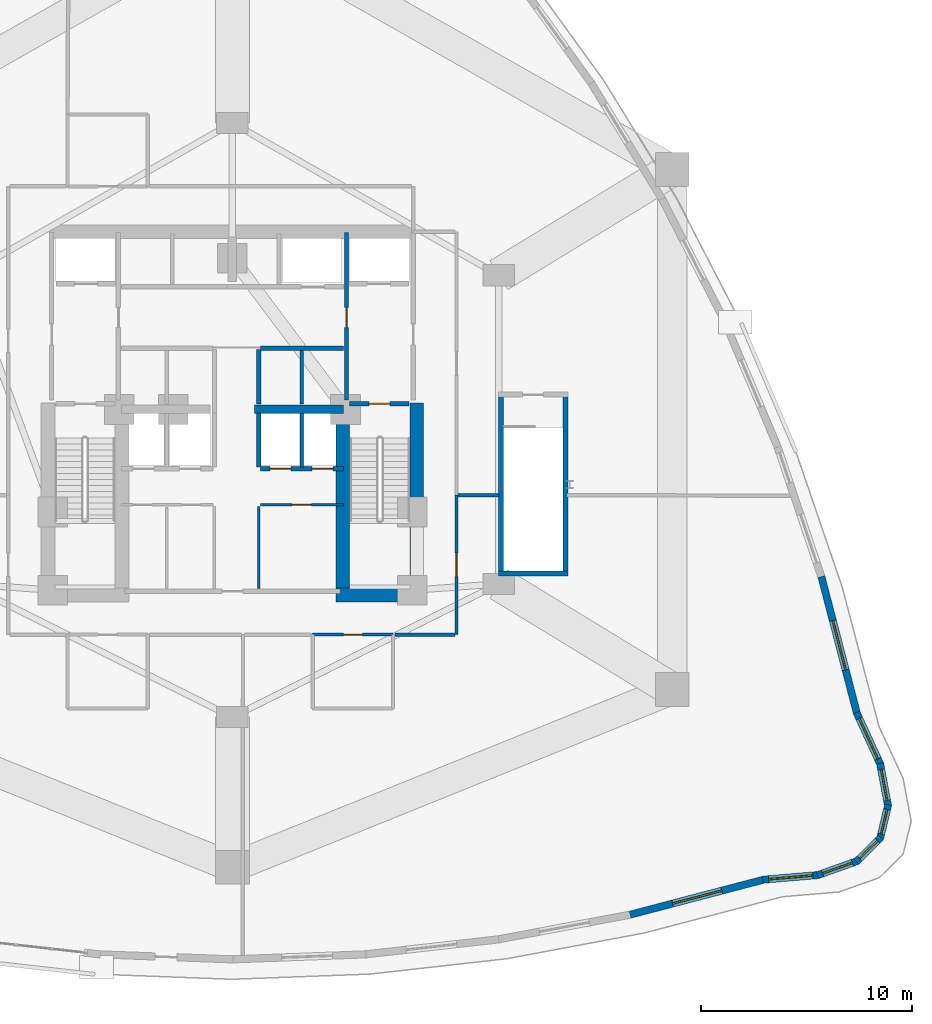
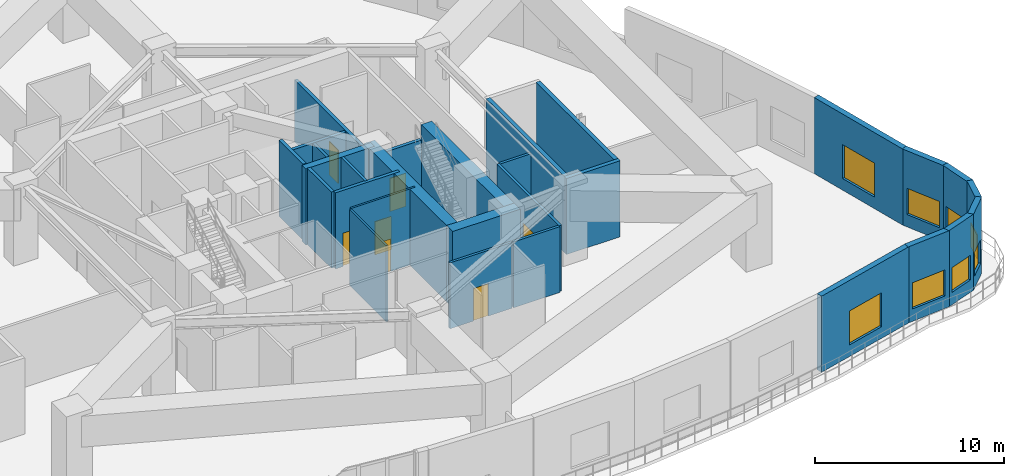
# One storey, part 13 of 19: 29 walls, 8 windows, 7 doors, 15 openings.
"""IFC4 building model written with IfcOpenShell, lengths in metres."""

from ifc_helpers import new_model, si_unit, direction, frame, frame_2d, origin, place, context, subcontext, project, spatial, rectangle, extrude, material, layer, layer_set, type_object, element, fill, save


model = new_model("IFC4")

# Units and contexts
model_context = context("Model", 3, precision=1e-05, world=origin(), true_north=direction((0.0, 1.0)))
body_context = subcontext(model_context, "Body", "Model", "MODEL_VIEW")
ifc_project = project(units=[si_unit("LENGTHUNIT", "METRE"), si_unit("AREAUNIT", "SQUARE_METRE"), si_unit("VOLUMEUNIT", "CUBIC_METRE"), si_unit("PLANEANGLEUNIT", "RADIAN"), si_unit("MASSUNIT", "GRAM", prefix="KILO")], contexts=[model_context])

# Site, building, storey
site_placement = place(None, origin())
site = spatial("IfcSite", under=ifc_project, at=site_placement, CompositionType="ELEMENT")
building_placement = place(site_placement, origin())
building = spatial("IfcBuilding", under=site, at=building_placement, Name="Miruveldt Soraemaru", CompositionType="ELEMENT")
storey_placement = place(building_placement, frame((0.0, 0.0, 24.0)))
storey = spatial("IfcBuildingStorey", under=building, at=storey_placement, Name="L06", CompositionType="ELEMENT", Elevation=24.0)

# Walls
ifc_material_1 = material(Name="Concrete C70/85 (70 MPa)", Category="concrete")
ifc_layer_1 = layer(ifc_material_1, 0.5, Name="Concrete C70/85 (70 MPa)", Category="concrete")
ifc_layer_set_1 = layer_set([ifc_layer_1], Name="Concrete C70/85 (70 MPa)")
wall_type_1 = type_object("IfcWallType", Name="WALL-BW-500", PredefinedType="SHEAR", material=ifc_layer_set_1)
wall_1_placement = place(storey_placement, frame((45.050048828125, 44.050048828125, 0.0), z_axis=(0.0, 0.0, 1.0), x_axis=(1.0, 0.0, 0.0)))
element("IfcWall", 1, at=wall_1_placement, inside=storey, type_object=wall_type_1, Name="L06 Core Buttress Shear Wall BE", PredefinedType="SHEAR", context=body_context, shape_type="SweptSolid", body=[
    extrude(rectangle(XDim=4.199951171875, YDim=0.39990234375, at=frame_2d((2.10009765625, 0.0))), origin(), (0.0, 0.0, 1.0), 4.925048828125),
])
ifc_material_2 = material(Name="Concrete C50/60 (50 MPa)", Category="concrete")
ifc_layer_2 = layer(ifc_material_2, 0.419921875, Name="Concrete C50/60 (50 MPa)", Category="concrete")
ifc_layer_set_2 = layer_set([ifc_layer_2], Name="Concrete C50/60 (50 MPa)")
wall_type_2 = type_object("IfcWallType", Name="WALL-CW-420", PredefinedType="SHEAR", material=ifc_layer_set_2)
for number, where, z_axis, x_axis, name in (
    (2, (56.699951171875, 36.35009765625, 0.0), (0.0, 0.0, 1.0), (0.0, 1.0, 0.0), "L06 Podium Garden Feature Stair ST-4 Structural Shaft Wall W"),
    (3, (59.75, 36.35009765625, 0.0), (0.0, 0.0, 1.0), (0.0, 1.0, 0.0), "L06 Podium Garden Feature Stair ST-4 Structural Shaft Wall E"),
):
    element("IfcWall", number, at=place(storey_placement, frame(where, z_axis=z_axis, x_axis=x_axis)), inside=storey, type_object=wall_type_2, Name=name, PredefinedType="SHEAR", context=body_context, shape_type="SweptSolid", body=[
        extrude(rectangle(XDim=8.349853515625, YDim=0.239990234375, at=frame_2d((4.1748046875, 0.0))), origin(), (0.0, 0.0, 1.0), 4.925048828125),
    ])
wall_2_placement = place(storey_placement, frame((56.580078125, 36.300048828125, 0.0), z_axis=(0.0, 0.0, 1.0), x_axis=(1.0, 0.0, 0.0)))
element("IfcWall", 4, at=wall_2_placement, inside=storey, type_object=wall_type_2, Name="L06 Podium Garden Feature Stair ST-4 Structural Shaft Wall S", PredefinedType="SHEAR", context=body_context, shape_type="SweptSolid", body=[
    extrude(rectangle(XDim=3.2900390625, YDim=0.239990234375, at=frame_2d((1.64501953125, 0.0))), origin(), (0.0, 0.0, 1.0), 4.925048828125),
])
ifc_material_3 = material(Name="Concrete C80/95 (80 MPa)", Category="concrete")
ifc_layer_3 = layer(ifc_material_3, 0.64990234375, Name="Concrete C80/95 (80 MPa)", Category="concrete")
ifc_layer_set_3 = layer_set([ifc_layer_3], Name="Concrete C80/95 (80 MPa)")
wall_type_3 = type_object("IfcWallType", Name="WALL-CW-650", PredefinedType="SHEAR", material=ifc_layer_set_3)
wall_3_placement = place(storey_placement, frame((48.89990234375, 35.27490234375, 0.0), z_axis=(0.0, 0.0, 1.0), x_axis=(1.0, 0.0, 0.0)))
element("IfcWall", 5, at=wall_3_placement, inside=storey, type_object=wall_type_3, Name="L06 Central Core Shear Wall S2", PredefinedType="SHEAR", context=body_context, shape_type="SweptSolid", body=[
    extrude(rectangle(XDim=4.150146484375, YDim=0.64990234375, at=frame_2d((2.0751953125, 0.0))), origin(), (0.0, 0.0, 1.0), 4.925048828125),
])
wall_4_placement = place(storey_placement, frame((52.72509765625, 34.949951171875, 0.0), z_axis=(0.0, 0.0, 1.0), x_axis=(0.0, 1.0, 0.0)))
element("IfcWall", 6, at=wall_4_placement, inside=storey, type_object=wall_type_3, Name="L06 Central Core Shear Wall E1", PredefinedType="SHEAR", context=body_context, shape_type="SweptSolid", body=[
    extrude(rectangle(XDim=9.400146484375, YDim=0.64990234375, at=frame_2d((4.7001953125, 0.0))), origin(), (0.0, 0.0, 1.0), 4.925048828125),
])
wall_5_placement = place(storey_placement, frame((49.22509765625, 35.39990234375, 0.0), z_axis=(0.0, 0.0, 1.0), x_axis=(0.0, 1.0, 0.0)))
element("IfcWall", 7, at=wall_5_placement, inside=storey, type_object=wall_type_3, Name="L06 Central Core Shear Wall SE-INT", PredefinedType="SHEAR", context=body_context, shape_type="SweptSolid", body=[
    extrude(rectangle(XDim=8.9501953125, YDim=0.64990234375, at=frame_2d((4.47509765625, 0.0))), origin(), (0.0, 0.0, 1.0), 4.925048828125),
])

# Wall, opening, window
ifc_material_4 = material(Name="Precast concrete C45/55 (45 MPa)", Category="concrete")
ifc_layer_4 = layer(ifc_material_4, 0.340087890625, Name="Precast concrete C45/55 (45 MPa)", Category="concrete")
ifc_layer_set_4 = layer_set([ifc_layer_4], Name="Precast concrete C45/55 (45 MPa)")
wall_type_4 = type_object("IfcWallType", Name="WALL-EXT-PC340", PredefinedType="SOLIDWALL", material=ifc_layer_set_4)
wall_6_placement = place(storey_placement, frame((62.807373046875, 20.154541015625, 0.0), z_axis=(0.0, 0.0, 1.0), x_axis=(0.967235761156, 0.253879858084, 0.0)))
wall_6 = element("IfcWall", 8, at=wall_6_placement, inside=storey, type_object=wall_type_4, Name="L06 Precast Concrete Facade Wall 28", PredefinedType="SOLIDWALL", context=body_context, shape_type="SweptSolid", body=[
    extrude(rectangle(XDim=6.563232421875, YDim=0.340087890625, at=frame_2d((3.28173828125, 0.0))), origin(), (0.0, 0.0, 1.0), 4.925048828125),
])
opening_1_placement = place(wall_6_placement, frame((2.08203125, 0.0, 0.75)))
opening_1 = element("IfcOpeningElement", 9, at=opening_1_placement, cuts=wall_6, Name="Opening WN-5", PredefinedType="OPENING", context=body_context, shape_type="SweptSolid", body=[
    extrude(rectangle(XDim=2.39990234375, YDim=2.199951171875, at=frame_2d((1.199951171875, 1.10009765625))), frame((0.0, 0.18017578125, 0.0), z_axis=(0.0, -1.0, 0.0), x_axis=(1.0, 0.0, 0.0)), (0.0, 0.0, 1.0), 0.360107421875),
])
ifc_material_5 = material(Name="Triple low-e insulated glazing", Category="glass")
window_type_1 = type_object("IfcWindowType", Name="WIN-PODM-2400x2200", PartitioningType="SINGLE_PANEL", PredefinedType="WINDOW", material=ifc_material_5)
window_1_placement = place(opening_1_placement, origin())
window_1 = element("IfcWindow", 10, at=window_1_placement, inside=storey, type_object=window_type_1, Name="L06 Punched Triple-Glazed Window 28.1", OverallHeight=2.199951171875, OverallWidth=2.39990234375, PartitioningType="SINGLE_PANEL", PredefinedType="WINDOW", context=body_context, shape_type="SweptSolid", body=[
    extrude(rectangle(XDim=2.39990234375, YDim=2.199951171875, at=frame_2d((1.199951171875, 1.10009765625))), frame((0.0, 0.030029296875, 0.0), z_axis=(0.0, -1.0, 0.0), x_axis=(1.0, 0.0, 0.0)), (0.0, 0.0, 1.0), 0.06005859375),
])
fill(opening_1, window_1)

wall_7_placement = place(storey_placement, frame((69.0869140625, 21.80908203125, 0.0), z_axis=(0.0, 0.0, 1.0), x_axis=(0.996411227217, 0.084644351712, 0.0)))
wall_7 = element("IfcWall", 11, at=wall_7_placement, inside=storey, type_object=wall_type_4, Name="L06 Precast Concrete Facade Wall 29", PredefinedType="SOLIDWALL", context=body_context, shape_type="SweptSolid", body=[
    extrude(rectangle(XDim=2.653564453125, YDim=0.340087890625, at=frame_2d((1.32666015625, 0.0))), origin(), (0.0, 0.0, 1.0), 4.925048828125),
])
opening_2_placement = place(wall_7_placement, frame((0.277099609375, 0.0, 0.800048828125)))
opening_2 = element("IfcOpeningElement", 12, at=opening_2_placement, cuts=wall_7, Name="Opening WN-1", PredefinedType="OPENING", context=body_context, shape_type="SweptSolid", body=[
    extrude(rectangle(XDim=2.10009765625, YDim=1.699951171875, at=frame_2d((1.050048828125, 0.85009765625))), frame((0.0, 0.18017578125, 0.0), z_axis=(0.0, -1.0, 0.0), x_axis=(1.0, 0.0, 0.0)), (0.0, 0.0, 1.0), 0.360107421875),
])
window_type_2 = type_object("IfcWindowType", Name="WIN-PUNCH-2100x1700", PartitioningType="SINGLE_PANEL", PredefinedType="WINDOW", material=ifc_material_5)
window_2_placement = place(opening_2_placement, origin())
window_2 = element("IfcWindow", 13, at=window_2_placement, inside=storey, type_object=window_type_2, Name="L06 Punched Triple-Glazed Window 29.1", OverallHeight=1.699951171875, OverallWidth=2.10009765625, PartitioningType="SINGLE_PANEL", PredefinedType="WINDOW", context=body_context, shape_type="SweptSolid", body=[
    extrude(rectangle(XDim=2.10009765625, YDim=1.699951171875, at=frame_2d((1.050048828125, 0.85009765625))), frame((0.0, 0.030029296875, 0.0), z_axis=(0.0, -1.0, 0.0), x_axis=(1.0, 0.0, 0.0)), (0.0, 0.0, 1.0), 0.06005859375),
])
fill(opening_2, window_2)

wall_8_placement = place(storey_placement, frame((71.6630859375, 22.018798828125, 0.0), z_axis=(0.0, 0.0, 1.0), x_axis=(0.941834735002, 0.33607637814, 0.0)))
wall_8 = element("IfcWall", 14, at=wall_8_placement, inside=storey, type_object=wall_type_4, Name="L06 Precast Concrete Facade Wall 30", PredefinedType="SOLIDWALL", context=body_context, shape_type="SweptSolid", body=[
    extrude(rectangle(XDim=2.0224609375, YDim=0.340087890625, at=frame_2d((1.01123046875, 0.0))), origin(), (0.0, 0.0, 1.0), 4.925048828125),
])
opening_3_placement = place(wall_8_placement, frame((0.260986328125, 0.0, 0.800048828125)))
opening_3 = element("IfcOpeningElement", 15, at=opening_3_placement, cuts=wall_8, Name="Opening WN-3", PredefinedType="OPENING", context=body_context, shape_type="SweptSolid", body=[
    extrude(rectangle(XDim=1.5, YDim=1.60009765625, at=frame_2d((0.75, 0.800048828125))), frame((0.0, 0.18017578125, 0.0), z_axis=(0.0, -1.0, 0.0), x_axis=(1.0, 0.0, 0.0)), (0.0, 0.0, 1.0), 0.360107421875),
])
window_type_3 = type_object("IfcWindowType", Name="WIN-PUNCH-1500x1600", PartitioningType="SINGLE_PANEL", PredefinedType="WINDOW", material=ifc_material_5)
window_3_placement = place(opening_3_placement, origin())
window_3 = element("IfcWindow", 16, at=window_3_placement, inside=storey, type_object=window_type_3, Name="L06 Punched Triple-Glazed Window 30.1", OverallHeight=1.60009765625, OverallWidth=1.5, PartitioningType="SINGLE_PANEL", PredefinedType="WINDOW", context=body_context, shape_type="SweptSolid", body=[
    extrude(rectangle(XDim=1.5, YDim=1.60009765625, at=frame_2d((0.75, 0.800048828125))), frame((0.0, 0.030029296875, 0.0), z_axis=(0.0, -1.0, 0.0), x_axis=(1.0, 0.0, 0.0)), (0.0, 0.0, 1.0), 0.06005859375),
])
fill(opening_3, window_3)

wall_9_placement = place(storey_placement, frame((73.510009765625, 22.662109375, 0.0), z_axis=(0.0, 0.0, 1.0), x_axis=(0.710257766954, 0.703941691109, 0.0)))
wall_9 = element("IfcWall", 17, at=wall_9_placement, inside=storey, type_object=wall_type_4, Name="L06 Precast Concrete Facade Wall 31", PredefinedType="SOLIDWALL", context=body_context, shape_type="SweptSolid", body=[
    extrude(rectangle(XDim=1.62353515625, YDim=0.340087890625, at=frame_2d((0.811767578125, 0.0))), origin(), (0.0, 0.0, 1.0), 4.925048828125),
])
opening_4_placement = place(wall_9_placement, frame((0.2119140625, 0.0, 0.780029296875)))
opening_4 = element("IfcOpeningElement", 18, at=opening_4_placement, cuts=wall_9, Name="Opening WN-4", PredefinedType="OPENING", context=body_context, shape_type="SweptSolid", body=[
    extrude(rectangle(XDim=1.199951171875, YDim=1.550048828125, at=frame_2d((0.60009765625, 0.77490234375))), frame((0.0, 0.18017578125, 0.0), z_axis=(0.0, -1.0, 0.0), x_axis=(1.0, 0.0, 0.0)), (0.0, 0.0, 1.0), 0.360107421875),
])
window_type_4 = type_object("IfcWindowType", Name="WIN-PUNCH-1200x1550", PartitioningType="SINGLE_PANEL", PredefinedType="WINDOW", material=ifc_material_5)
window_4_placement = place(opening_4_placement, origin())
window_4 = element("IfcWindow", 19, at=window_4_placement, inside=storey, type_object=window_type_4, Name="L06 Punched Triple-Glazed Window 31.1", OverallHeight=1.550048828125, OverallWidth=1.199951171875, PartitioningType="SINGLE_PANEL", PredefinedType="WINDOW", context=body_context, shape_type="SweptSolid", body=[
    extrude(rectangle(XDim=1.199951171875, YDim=1.550048828125, at=frame_2d((0.60009765625, 0.77490234375))), frame((0.0, 0.030029296875, 0.0), z_axis=(0.0, -1.0, 0.0), x_axis=(1.0, 0.0, 0.0)), (0.0, 0.0, 1.0), 0.06005859375),
])
fill(opening_4, window_4)

wall_10_placement = place(storey_placement, frame((74.6298828125, 23.746337890625, 0.0), z_axis=(0.0, 0.0, 1.0), x_axis=(0.23368739428, 0.972311782174, 0.0)))
wall_10 = element("IfcWall", 20, at=wall_10_placement, inside=storey, type_object=wall_type_4, Name="L06 Precast Concrete Facade Wall 32", PredefinedType="SOLIDWALL", context=body_context, shape_type="SweptSolid", body=[
    extrude(rectangle(XDim=1.644287109375, YDim=0.340087890625, at=frame_2d((0.822265625, 0.0))), origin(), (0.0, 0.0, 1.0), 4.925048828125),
])
opening_5_placement = place(wall_10_placement, frame((0.222900390625, 0.0, 0.780029296875)))
opening_5 = element("IfcOpeningElement", 21, at=opening_5_placement, cuts=wall_10, Name="Opening WN-4", PredefinedType="OPENING", context=body_context, shape_type="SweptSolid", body=[
    extrude(rectangle(XDim=1.199951171875, YDim=1.550048828125, at=frame_2d((0.60009765625, 0.77490234375))), frame((0.0, 0.18017578125, 0.0), z_axis=(0.0, -1.0, 0.0), x_axis=(1.0, 0.0, 0.0)), (0.0, 0.0, 1.0), 0.360107421875),
])
window_5_placement = place(opening_5_placement, origin())
window_5 = element("IfcWindow", 22, at=window_5_placement, inside=storey, type_object=window_type_4, Name="L06 Punched Triple-Glazed Window 32.1", OverallHeight=1.550048828125, OverallWidth=1.199951171875, PartitioningType="SINGLE_PANEL", PredefinedType="WINDOW", context=body_context, shape_type="SweptSolid", body=[
    extrude(rectangle(XDim=1.199951171875, YDim=1.550048828125, at=frame_2d((0.60009765625, 0.77490234375))), frame((0.0, 0.030029296875, 0.0), z_axis=(0.0, -1.0, 0.0), x_axis=(1.0, 0.0, 0.0)), (0.0, 0.0, 1.0), 0.06005859375),
])
fill(opening_5, window_5)

wall_11_placement = place(storey_placement, frame((75.012451171875, 25.27685546875, 0.0), z_axis=(0.0, 0.0, 1.0), x_axis=(-0.183662559707, 0.982989350991, 0.0)))
wall_11 = element("IfcWall", 23, at=wall_11_placement, inside=storey, type_object=wall_type_4, Name="L06 Precast Concrete Facade Wall 33", PredefinedType="SOLIDWALL", context=body_context, shape_type="SweptSolid", body=[
    extrude(rectangle(XDim=2.072265625, YDim=0.340087890625, at=frame_2d((1.0361328125, 0.0))), origin(), (0.0, 0.0, 1.0), 4.925048828125),
])
opening_6_placement = place(wall_11_placement, frame((0.285888671875, 0.0, 0.800048828125)))
opening_6 = element("IfcOpeningElement", 24, at=opening_6_placement, cuts=wall_11, Name="Opening WN-3", PredefinedType="OPENING", context=body_context, shape_type="SweptSolid", body=[
    extrude(rectangle(XDim=1.5, YDim=1.60009765625, at=frame_2d((0.75, 0.800048828125))), frame((0.0, 0.18017578125, 0.0), z_axis=(0.0, -1.0, 0.0), x_axis=(1.0, 0.0, 0.0)), (0.0, 0.0, 1.0), 0.360107421875),
])
window_6_placement = place(opening_6_placement, origin())
window_6 = element("IfcWindow", 25, at=window_6_placement, inside=storey, type_object=window_type_3, Name="L06 Punched Triple-Glazed Window 33.1", OverallHeight=1.60009765625, OverallWidth=1.5, PartitioningType="SINGLE_PANEL", PredefinedType="WINDOW", context=body_context, shape_type="SweptSolid", body=[
    extrude(rectangle(XDim=1.5, YDim=1.60009765625, at=frame_2d((0.75, 0.800048828125))), frame((0.0, 0.030029296875, 0.0), z_axis=(0.0, -1.0, 0.0), x_axis=(1.0, 0.0, 0.0)), (0.0, 0.0, 1.0), 0.06005859375),
])
fill(opening_6, window_6)

wall_12_placement = place(storey_placement, frame((74.65283203125, 27.247802734375, 0.0), z_axis=(0.0, 0.0, 1.0), x_axis=(-0.416908445772, 0.908948484703, 0.0)))
wall_12 = element("IfcWall", 26, at=wall_12_placement, inside=storey, type_object=wall_type_4, Name="L06 Precast Concrete Facade Wall 34", PredefinedType="SOLIDWALL", context=body_context, shape_type="SweptSolid", body=[
    extrude(rectangle(XDim=2.716552734375, YDim=0.340087890625, at=frame_2d((1.3583984375, 0.0))), origin(), (0.0, 0.0, 1.0), 4.925048828125),
])
opening_7_placement = place(wall_12_placement, frame((0.30810546875, 0.0, 0.800048828125)))
opening_7 = element("IfcOpeningElement", 27, at=opening_7_placement, cuts=wall_12, Name="Opening WN-1", PredefinedType="OPENING", context=body_context, shape_type="SweptSolid", body=[
    extrude(rectangle(XDim=2.10009765625, YDim=1.699951171875, at=frame_2d((1.050048828125, 0.85009765625))), frame((0.0, 0.18017578125, 0.0), z_axis=(0.0, -1.0, 0.0), x_axis=(1.0, 0.0, 0.0)), (0.0, 0.0, 1.0), 0.360107421875),
])
window_7_placement = place(opening_7_placement, origin())
window_7 = element("IfcWindow", 28, at=window_7_placement, inside=storey, type_object=window_type_2, Name="L06 Punched Triple-Glazed Window 34.1", OverallHeight=1.699951171875, OverallWidth=2.10009765625, PartitioningType="SINGLE_PANEL", PredefinedType="WINDOW", context=body_context, shape_type="SweptSolid", body=[
    extrude(rectangle(XDim=2.10009765625, YDim=1.699951171875, at=frame_2d((1.050048828125, 0.85009765625))), frame((0.0, 0.030029296875, 0.0), z_axis=(0.0, -1.0, 0.0), x_axis=(1.0, 0.0, 0.0)), (0.0, 0.0, 1.0), 0.06005859375),
])
fill(opening_7, window_7)

wall_13_placement = place(storey_placement, frame((73.543701171875, 29.6513671875, 0.0), z_axis=(0.0, 0.0, 1.0), x_axis=(-0.25145458231, 0.967869099122, 0.0)))
wall_13 = element("IfcWall", 29, at=wall_13_placement, inside=storey, type_object=wall_type_4, Name="L06 Precast Concrete Facade Wall 35", PredefinedType="SOLIDWALL", context=body_context, shape_type="SweptSolid", body=[
    extrude(rectangle(XDim=6.7099609375, YDim=0.340087890625, at=frame_2d((3.35498046875, 0.0))), origin(), (0.0, 0.0, 1.0), 4.925048828125),
])
opening_8_placement = place(wall_13_placement, frame((2.155029296875, 0.0, 0.75)))
opening_8 = element("IfcOpeningElement", 30, at=opening_8_placement, cuts=wall_13, Name="Opening WN-5", PredefinedType="OPENING", context=body_context, shape_type="SweptSolid", body=[
    extrude(rectangle(XDim=2.39990234375, YDim=2.199951171875, at=frame_2d((1.199951171875, 1.10009765625))), frame((0.0, 0.18017578125, 0.0), z_axis=(0.0, -1.0, 0.0), x_axis=(1.0, 0.0, 0.0)), (0.0, 0.0, 1.0), 0.360107421875),
])
window_8_placement = place(opening_8_placement, origin())
window_8 = element("IfcWindow", 31, at=window_8_placement, inside=storey, type_object=window_type_1, Name="L06 Punched Triple-Glazed Window 35.1", OverallHeight=2.199951171875, OverallWidth=2.39990234375, PartitioningType="SINGLE_PANEL", PredefinedType="WINDOW", context=body_context, shape_type="SweptSolid", body=[
    extrude(rectangle(XDim=2.39990234375, YDim=2.199951171875, at=frame_2d((1.199951171875, 1.10009765625))), frame((0.0, 0.030029296875, 0.0), z_axis=(0.0, -1.0, 0.0), x_axis=(1.0, 0.0, 0.0)), (0.0, 0.0, 1.0), 0.06005859375),
])
fill(opening_8, window_8)

# Wall, opening, door
ifc_material_6 = material(Name="Gypsum plasterboard lining", Category="gypsum")
ifc_layer_5 = layer(ifc_material_6, 0.1201171875, Name="Gypsum plasterboard lining", Category="gypsum")
ifc_layer_set_5 = layer_set([ifc_layer_5], Name="Gypsum plasterboard lining")
wall_type_5 = type_object("IfcWallType", Name="WALL-INT-P120", PredefinedType="PARTITIONING", material=ifc_layer_set_5)
wall_14_placement = place(storey_placement, frame((45.320068359375, 39.550048828125, 0.0), z_axis=(0.0, 0.0, 1.0), x_axis=(1.0, 0.0, 0.0)))
wall_14 = element("IfcWall", 32, at=wall_14_placement, inside=storey, type_object=wall_type_5, Name="L06 Core Compartment Wall CSE-N", PredefinedType="PARTITIONING", context=body_context, shape_type="SweptSolid", body=[
    extrude(rectangle(XDim=3.929931640625, YDim=0.1201171875, at=frame_2d((1.96484375, 0.0))), origin(), (0.0, 0.0, 1.0), 4.925048828125),
])
opening_9_placement = place(wall_14_placement, frame((1.489990234375, 0.0, 0.0)))
opening_9 = element("IfcOpeningElement", 33, at=opening_9_placement, cuts=wall_14, Name="Opening D3A", PredefinedType="OPENING", context=body_context, shape_type="SweptSolid", body=[
    extrude(rectangle(XDim=0.919921875, YDim=2.10009765625, at=frame_2d((0.4599609375, 1.050048828125))), frame((0.0, 0.070068359375, 0.0), z_axis=(0.0, -1.0, 0.0), x_axis=(1.0, 0.0, 0.0)), (0.0, 0.0, 1.0), 0.14013671875),
])
ifc_material_7 = material(Name="Anodised aluminium EN AW-6063 T6", Category="aluminium")
door_type_1 = type_object("IfcDoorType", Name="DOOR-INT-920", OperationType="NOTDEFINED", PredefinedType="DOOR", material=ifc_material_7)
door_1_placement = place(opening_9_placement, origin())
door_1 = element("IfcDoor", 34, at=door_1_placement, inside=storey, type_object=door_type_1, Name="L06 Fire Door", OperationType="SINGLE_SWING_LEFT", OverallHeight=2.10009765625, OverallWidth=0.919921875, PredefinedType="DOOR", context=body_context, shape_type="SweptSolid", body=[
    extrude(rectangle(XDim=0.919921875, YDim=2.10009765625, at=frame_2d((0.4599609375, 1.050048828125))), frame((0.0, 0.02490234375, 0.0), z_axis=(0.0, -1.0, 0.0), x_axis=(1.0, 0.0, 0.0)), (0.0, 0.0, 1.0), 0.050048828125),
])
fill(opening_9, door_1)

# Wall
wall_15_placement = place(storey_placement, frame((45.25, 35.580078125, 0.0), z_axis=(0.0, 0.0, 1.0), x_axis=(0.0, 1.0, 0.0)))
element("IfcWall", 35, at=wall_15_placement, inside=storey, type_object=wall_type_5, Name="L06 Core Compartment Wall SP-ES", PredefinedType="PARTITIONING", context=body_context, shape_type="SweptSolid", body=[
    extrude(rectangle(XDim=3.869873046875, YDim=0.1201171875, at=frame_2d((1.93505859375, 0.0))), origin(), (0.0, 0.0, 1.0), 4.925048828125),
])

# Wall, opening, door
ifc_layer_6 = layer(ifc_material_6, 0.14990234375, Name="Gypsum plasterboard lining", Category="gypsum")
ifc_layer_set_6 = layer_set([ifc_layer_6], Name="Gypsum plasterboard lining")
wall_type_6 = type_object("IfcWallType", Name="WALL-INT-PLUMB", PredefinedType="PLUMBINGWALL", material=ifc_layer_set_6)
wall_16_placement = place(storey_placement, frame((47.800048828125, 33.39990234375, 0.0), z_axis=(0.0, 0.0, 1.0), x_axis=(1.0, 0.0, 0.0)))
wall_16 = element("IfcWall", 36, at=wall_16_placement, inside=storey, type_object=wall_type_6, Name="L06 Partition Wall 3", PredefinedType="PLUMBINGWALL", context=body_context, shape_type="SweptSolid", body=[
    extrude(rectangle(XDim=3.800048828125, YDim=0.14990234375, at=frame_2d((1.89990234375, 0.0))), origin(), (0.0, 0.0, 1.0), 4.262939453125),
])
opening_10_placement = place(wall_16_placement, frame((1.449951171875, 0.0, 0.0)))
opening_10 = element("IfcOpeningElement", 37, at=opening_10_placement, cuts=wall_16, Name="Opening D3", PredefinedType="OPENING", context=body_context, shape_type="SweptSolid", body=[
    extrude(rectangle(XDim=0.89990234375, YDim=2.10009765625, at=frame_2d((0.449951171875, 1.050048828125))), frame((0.0, 0.0849609375, 0.0), z_axis=(0.0, -1.0, 0.0), x_axis=(1.0, 0.0, 0.0)), (0.0, 0.0, 1.0), 0.169921875),
])
door_type_2 = type_object("IfcDoorType", Name="DOOR-INT-900", OperationType="NOTDEFINED", PredefinedType="DOOR", material=ifc_material_7)
door_2_placement = place(opening_10_placement, origin())
door_2 = element("IfcDoor", 38, at=door_2_placement, inside=storey, type_object=door_type_2, Name="L06 Accessible WC Door", OperationType="SINGLE_SWING_RIGHT", OverallHeight=2.10009765625, OverallWidth=0.89990234375, PredefinedType="DOOR", context=body_context, shape_type="SweptSolid", body=[
    extrude(rectangle(XDim=0.89990234375, YDim=2.10009765625, at=frame_2d((0.449951171875, 1.050048828125))), frame((0.0, 0.02490234375, 0.0), z_axis=(0.0, -1.0, 0.0), x_axis=(1.0, 0.0, 0.0)), (0.0, 0.0, 1.0), 0.050048828125),
])
fill(opening_10, door_2)

ifc_material_8 = material(Name="Concrete C40/50 (40 MPa)", Category="concrete")
ifc_layer_7 = layer(ifc_material_8, 0.159912109375, Name="Concrete C40/50 (40 MPa)", Category="concrete")
ifc_layer_set_7 = layer_set([ifc_layer_7], Name="Concrete C40/50 (40 MPa)")
wall_type_7 = type_object("IfcWallType", Name="WALL-INT-RC160", PredefinedType="SOLIDWALL", material=ifc_layer_set_7)
wall_17_placement = place(storey_placement, frame((54.60009765625, 33.39990234375, 0.0), z_axis=(0.0, 0.0, 1.0), x_axis=(0.0, 1.0, 0.0)))
wall_17 = element("IfcWall", 39, at=wall_17_placement, inside=storey, type_object=wall_type_7, Name="L06 Partition Wall 9", PredefinedType="SOLIDWALL", context=body_context, shape_type="SweptSolid", body=[
    extrude(rectangle(XDim=6.60009765625, YDim=0.159912109375, at=frame_2d((3.300048828125, 0.0))), origin(), (0.0, 0.0, 1.0), 4.262939453125),
])
opening_11_placement = place(wall_17_placement, frame((2.75, 0.0, 0.0)))
opening_11 = element("IfcOpeningElement", 40, at=opening_11_placement, cuts=wall_17, Name="Opening FD1A", PredefinedType="OPENING", context=body_context, shape_type="SweptSolid", body=[
    extrude(rectangle(XDim=1.10009765625, YDim=2.14990234375, at=frame_2d((0.550048828125, 1.074951171875))), frame((0.0, 0.08984375, 0.0), z_axis=(0.0, -1.0, 0.0), x_axis=(1.0, 0.0, 0.0)), (0.0, 0.0, 1.0), 0.179931640625),
])
door_type_3 = type_object("IfcDoorType", Name="DOOR-FD1-1100", OperationType="NOTDEFINED", PredefinedType="DOOR", material=ifc_material_7)
door_3_placement = place(opening_11_placement, origin())
door_3 = element("IfcDoor", 41, at=door_3_placement, inside=storey, type_object=door_type_3, Name="L06 Private Banquet Dining Hall Entrance Door", OperationType="SINGLE_SWING_RIGHT", OverallHeight=2.14990234375, OverallWidth=1.10009765625, PredefinedType="DOOR", context=body_context, shape_type="SweptSolid", body=[
    extrude(rectangle(XDim=1.10009765625, YDim=2.14990234375, at=frame_2d((0.550048828125, 1.074951171875))), frame((0.0, 0.02490234375, 0.0), z_axis=(0.0, -1.0, 0.0), x_axis=(1.0, 0.0, 0.0)), (0.0, 0.0, 1.0), 0.050048828125),
])
fill(opening_11, door_3)

# Walls
wall_18_placement = place(storey_placement, frame((51.679931640625, 33.39990234375, 0.0), z_axis=(0.0, 0.0, 1.0), x_axis=(1.0, 0.0, 0.0)))
element("IfcWall", 42, at=wall_18_placement, inside=storey, type_object=wall_type_7, Name="L06 Partition Wall 8", PredefinedType="SOLIDWALL", context=body_context, shape_type="SweptSolid", body=[
    extrude(rectangle(XDim=2.840087890625, YDim=0.159912109375, at=frame_2d((1.419921875, 0.0))), origin(), (0.0, 0.0, 1.0), 4.262939453125),
])
wall_19_placement = place(storey_placement, frame((47.280029296875, 44.300048828125, 0.0), z_axis=(0.0, 0.0, 1.0), x_axis=(0.0, 1.0, 0.0)))
element("IfcWall", 43, at=wall_19_placement, inside=storey, type_object=wall_type_7, Name="L06 Core Compartment Wall PLM-DE", PredefinedType="SOLIDWALL", context=body_context, shape_type="SweptSolid", body=[
    extrude(rectangle(XDim=2.550048828125, YDim=0.159912109375, at=frame_2d((1.27490234375, 0.0))), origin(), (0.0, 0.0, 1.0), 4.012939453125),
])
wall_20_placement = place(storey_placement, frame((47.280029296875, 41.320068359375, 0.0), z_axis=(0.0, 0.0, 1.0), x_axis=(0.0, 1.0, 0.0)))
element("IfcWall", 44, at=wall_20_placement, inside=storey, type_object=wall_type_7, Name="L06 Core Compartment Wall PLL-DE", PredefinedType="SOLIDWALL", context=body_context, shape_type="SweptSolid", body=[
    extrude(rectangle(XDim=2.530029296875, YDim=0.159912109375, at=frame_2d((1.26513671875, 0.0))), origin(), (0.0, 0.0, 1.0), 4.925048828125),
])
wall_21_placement = place(storey_placement, frame((56.6201171875, 40.0, 0.0), z_axis=(0.0, 0.0, 1.0), x_axis=(-1.0, 0.0, 0.0)))
element("IfcWall", 45, at=wall_21_placement, inside=storey, type_object=wall_type_7, Name="L06 Partition Wall 29", PredefinedType="SOLIDWALL", context=body_context, shape_type="SweptSolid", body=[
    extrude(rectangle(XDim=1.940185546875, YDim=0.159912109375, at=frame_2d((0.97021484375, 0.0))), origin(), (0.0, 0.0, 1.0), 4.262939453125),
])

# Wall, opening, door
ifc_layer_8 = layer(ifc_material_8, 0.199951171875, Name="Concrete C40/50 (40 MPa)", Category="concrete")
ifc_layer_set_8 = layer_set([ifc_layer_8], Name="Concrete C40/50 (40 MPa)")
wall_type_8 = type_object("IfcWallType", Name="WALL-INT-RC200", PredefinedType="SOLIDWALL", material=ifc_layer_set_8)
wall_22_placement = place(storey_placement, frame((49.39990234375, 44.5, 0.0), z_axis=(0.0, 0.0, 1.0), x_axis=(0.0, 1.0, 0.0)))
wall_22 = element("IfcWall", 46, at=wall_22_placement, inside=storey, type_object=wall_type_8, Name="L06 Core Compartment Wall FFE-IN", PredefinedType="SOLIDWALL", context=body_context, shape_type="SweptSolid", body=[
    extrude(rectangle(XDim=7.919921875, YDim=0.199951171875, at=frame_2d((3.9599609375, 0.0))), origin(), (0.0, 0.0, 1.0), 4.012939453125),
])
opening_12_placement = place(wall_22_placement, frame((3.425048828125, 0.0, 0.0)))
opening_12 = element("IfcOpeningElement", 47, at=opening_12_placement, cuts=wall_22, Name="Opening FD2", PredefinedType="OPENING", context=body_context, shape_type="SweptSolid", body=[
    extrude(rectangle(XDim=0.949951171875, YDim=2.14990234375, at=frame_2d((0.47509765625, 1.074951171875))), frame((0.0, 0.10986328125, 0.0), z_axis=(0.0, -1.0, 0.0), x_axis=(1.0, 0.0, 0.0)), (0.0, 0.0, 1.0), 0.219970703125),
])
door_type_4 = type_object("IfcDoorType", Name="DOOR-FD2-950", OperationType="NOTDEFINED", PredefinedType="DOOR", material=ifc_material_7)
door_4_placement = place(opening_12_placement, origin())
door_4 = element("IfcDoor", 48, at=door_4_placement, inside=storey, type_object=door_type_4, Name="L06 Lift Lobby to East Fire Lobby Door", OperationType="SINGLE_SWING_LEFT", OverallHeight=2.14990234375, OverallWidth=0.949951171875, PredefinedType="DOOR", context=body_context, shape_type="SweptSolid", body=[
    extrude(rectangle(XDim=0.949951171875, YDim=2.14990234375, at=frame_2d((0.47509765625, 1.074951171875))), frame((0.0, 0.02490234375, 0.0), z_axis=(0.0, -1.0, 0.0), x_axis=(1.0, 0.0, 0.0)), (0.0, 0.0, 1.0), 0.050048828125),
])
fill(opening_12, door_4)

# Wall, openings, doors
wall_23_placement = place(storey_placement, frame((45.320068359375, 41.25, 0.0), z_axis=(0.0, 0.0, 1.0), x_axis=(1.0, 0.0, 0.0)))
wall_23 = element("IfcWall", 49, at=wall_23_placement, inside=storey, type_object=wall_type_8, Name="L06 Core Compartment Wall LBE-S", PredefinedType="SOLIDWALL", context=body_context, shape_type="SweptSolid", body=[
    extrude(rectangle(XDim=3.929931640625, YDim=0.199951171875, at=frame_2d((1.96484375, 0.0))), origin(), (0.0, 0.0, 1.0), 4.925048828125),
])
opening_13_placement = place(wall_23_placement, frame((0.449951171875, 0.0, 0.0)))
opening_13 = element("IfcOpeningElement", 50, at=opening_13_placement, cuts=wall_23, Name="Opening LD1B", PredefinedType="OPENING", context=body_context, shape_type="SweptSolid", body=[
    extrude(rectangle(XDim=1.0, YDim=2.14990234375, at=frame_2d((0.5, 1.074951171875))), frame((0.0, 0.10986328125, 0.0), z_axis=(0.0, -1.0, 0.0), x_axis=(1.0, 0.0, 0.0)), (0.0, 0.0, 1.0), 0.219970703125),
])
opening_14_placement = place(wall_23_placement, frame((2.449951171875, 0.0, 0.0)))
opening_14 = element("IfcOpeningElement", 51, at=opening_14_placement, cuts=wall_23, Name="Opening LD1B", PredefinedType="OPENING", context=body_context, shape_type="SweptSolid", body=[
    extrude(rectangle(XDim=1.0, YDim=2.14990234375, at=frame_2d((0.5, 1.074951171875))), frame((0.0, 0.10986328125, 0.0), z_axis=(0.0, -1.0, 0.0), x_axis=(1.0, 0.0, 0.0)), (0.0, 0.0, 1.0), 0.219970703125),
])
door_type_5 = type_object("IfcDoorType", Name="DOOR-LD1-1000", OperationType="SLIDING_TO_LEFT", PredefinedType="DOOR", material=ifc_material_7)
door_5_placement = place(opening_13_placement, frame((1.0, 0.0, 0.0), z_axis=(0.0, 0.0, 1.0), x_axis=(-1.0, 0.0, 0.0)))
door_5 = element("IfcDoor", 52, at=door_5_placement, inside=storey, type_object=door_type_5, Name="L06 PL-L3 Landing Door", OperationType="SLIDING_TO_LEFT", OverallHeight=2.14990234375, OverallWidth=1.0, PredefinedType="DOOR", context=body_context, shape_type="SweptSolid", body=[
    extrude(rectangle(XDim=1.0, YDim=2.14990234375, at=frame_2d((0.5, 1.074951171875))), frame((0.0, 0.02490234375, 0.0), z_axis=(0.0, -1.0, 0.0), x_axis=(1.0, 0.0, 0.0)), (0.0, 0.0, 1.0), 0.050048828125),
])
fill(opening_13, door_5)
door_6_placement = place(opening_14_placement, frame((1.0, 0.0, 0.0), z_axis=(0.0, 0.0, 1.0), x_axis=(-1.0, 0.0, 0.0)))
door_6 = element("IfcDoor", 53, at=door_6_placement, inside=storey, type_object=door_type_5, Name="L06 PL-L4 Landing Door", OperationType="SLIDING_TO_LEFT", OverallHeight=2.14990234375, OverallWidth=1.0, PredefinedType="DOOR", context=body_context, shape_type="SweptSolid", body=[
    extrude(rectangle(XDim=1.0, YDim=2.14990234375, at=frame_2d((0.5, 1.074951171875))), frame((0.0, 0.02490234375, 0.0), z_axis=(0.0, -1.0, 0.0), x_axis=(1.0, 0.0, 0.0)), (0.0, 0.0, 1.0), 0.050048828125),
])
fill(opening_14, door_6)

# Wall, opening, door
wall_24_placement = place(storey_placement, frame((49.550048828125, 44.320068359375, 0.0), z_axis=(0.0, 0.0, 1.0), x_axis=(1.0, 0.0, 0.0)))
wall_24 = element("IfcWall", 54, at=wall_24_placement, inside=storey, type_object=wall_type_8, Name="L06 Core Compartment Wall ST2-N", PredefinedType="SOLIDWALL", context=body_context, shape_type="SweptSolid", body=[
    extrude(rectangle(XDim=2.800048828125, YDim=0.199951171875, at=frame_2d((1.39990234375, 0.0))), origin(), (0.0, 0.0, 1.0), 4.012939453125),
])
opening_15_placement = place(wall_24_placement, frame((0.89990234375, 0.0, 0.0)))
opening_15 = element("IfcOpeningElement", 55, at=opening_15_placement, cuts=wall_24, Name="Opening FD1", PredefinedType="OPENING", context=body_context, shape_type="SweptSolid", body=[
    extrude(rectangle(XDim=1.0, YDim=2.14990234375, at=frame_2d((0.5, 1.074951171875))), frame((0.0, 0.10986328125, 0.0), z_axis=(0.0, -1.0, 0.0), x_axis=(1.0, 0.0, 0.0)), (0.0, 0.0, 1.0), 0.219970703125),
])
door_type_6 = type_object("IfcDoorType", Name="DOOR-FD1-1000", OperationType="NOTDEFINED", PredefinedType="DOOR", material=ifc_material_7)
door_7_placement = place(opening_15_placement, frame((1.0, 0.0, 0.0), z_axis=(0.0, 0.0, 1.0), x_axis=(-1.0, 0.0, 0.0)))
door_7 = element("IfcDoor", 56, at=door_7_placement, inside=storey, type_object=door_type_6, Name="L06 Stair ST-2 Fire Door", OperationType="SINGLE_SWING_RIGHT", OverallHeight=2.14990234375, OverallWidth=1.0, PredefinedType="DOOR", context=body_context, shape_type="SweptSolid", body=[
    extrude(rectangle(XDim=1.0, YDim=2.14990234375, at=frame_2d((0.5, 1.074951171875))), frame((0.0, 0.02490234375, 0.0), z_axis=(0.0, -1.0, 0.0), x_axis=(1.0, 0.0, 0.0)), (0.0, 0.0, 1.0), 0.050048828125),
])
fill(opening_15, door_7)

# Walls
wall_25_placement = place(storey_placement, frame((45.320068359375, 46.949951171875, 0.0), z_axis=(0.0, 0.0, 1.0), x_axis=(1.0, 0.0, 0.0)))
element("IfcWall", 57, at=wall_25_placement, inside=storey, type_object=wall_type_8, Name="L06 Core Compartment Wall MBE-N", PredefinedType="SOLIDWALL", context=body_context, shape_type="SweptSolid", body=[
    extrude(rectangle(XDim=3.929931640625, YDim=0.199951171875, at=frame_2d((1.96484375, 0.0))), origin(), (0.0, 0.0, 1.0), 4.012939453125),
])
wall_26_placement = place(storey_placement, frame((45.25, 44.300048828125, 0.0), z_axis=(0.0, 0.0, 1.0), x_axis=(0.0, 1.0, 0.0)))
element("IfcWall", 58, at=wall_26_placement, inside=storey, type_object=wall_type_8, Name="L06 Core Compartment Wall SP-EB", PredefinedType="SOLIDWALL", context=body_context, shape_type="SweptSolid", body=[
    extrude(rectangle(XDim=2.579833984375, YDim=0.199951171875, at=frame_2d((1.2900390625, 0.0))), origin(), (0.0, 0.0, 1.0), 4.925048828125),
])
wall_27_placement = place(storey_placement, frame((45.25, 41.320068359375, 0.0), z_axis=(0.0, 0.0, 1.0), x_axis=(0.0, 1.0, 0.0)))
element("IfcWall", 59, at=wall_27_placement, inside=storey, type_object=wall_type_8, Name="L06 Core Compartment Wall SP-EC", PredefinedType="SOLIDWALL", context=body_context, shape_type="SweptSolid", body=[
    extrude(rectangle(XDim=2.559814453125, YDim=0.199951171875, at=frame_2d((1.27978515625, 0.0))), origin(), (0.0, 0.0, 1.0), 4.925048828125),
])

save(model, "model.ifc")
